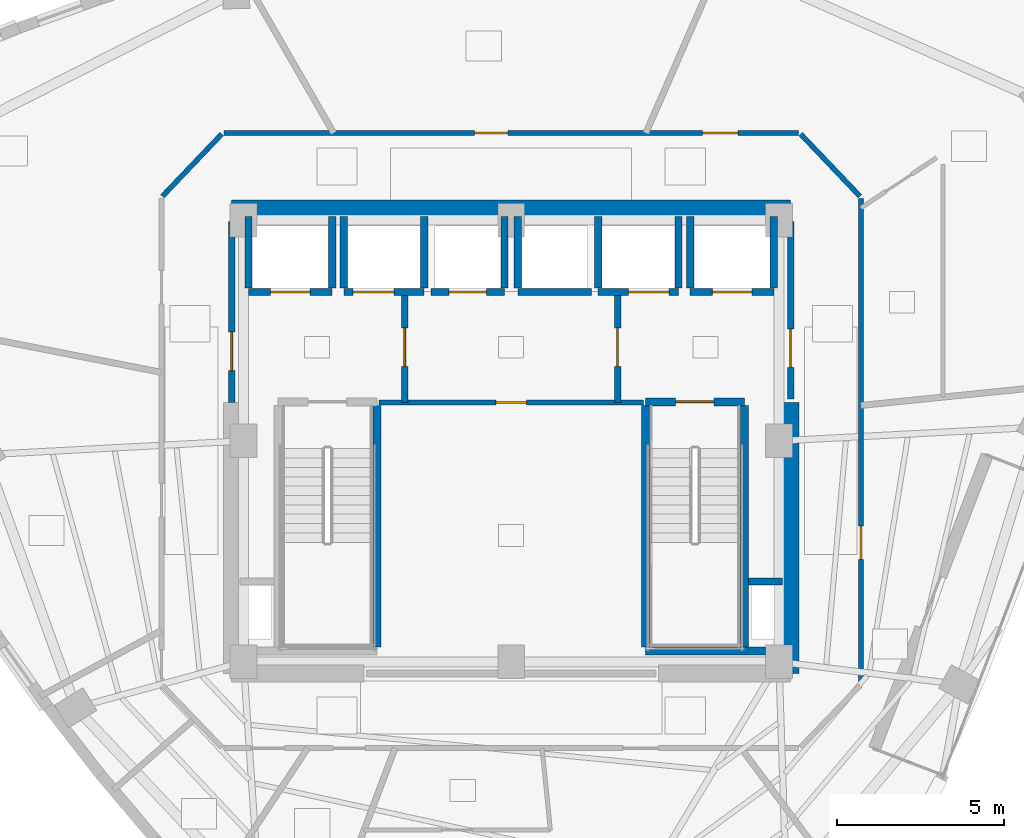
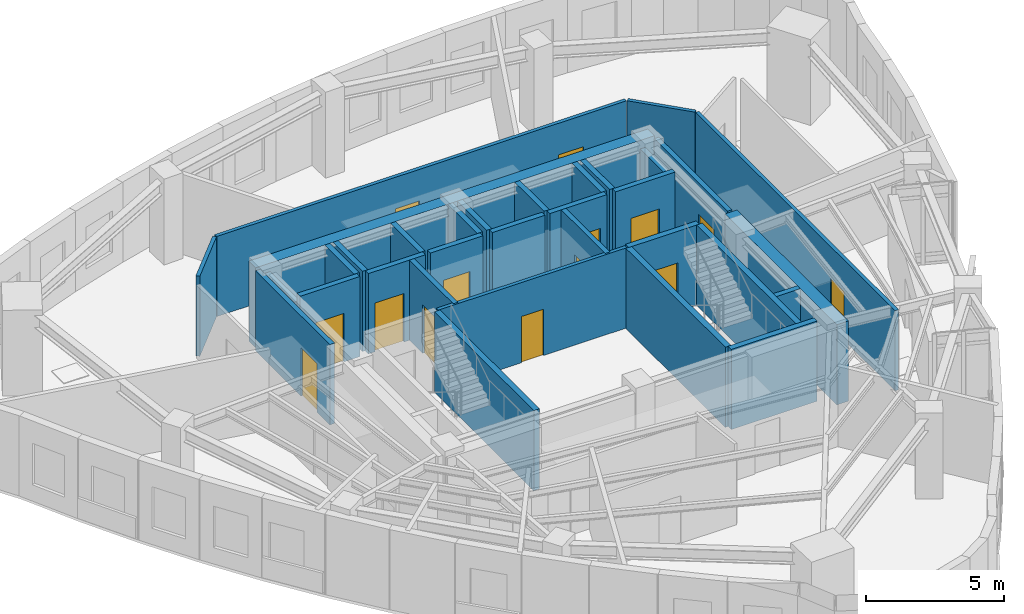
# One storey, part 5 of 10: 33 walls, 14 doors, 14 openings.
"""IFC4 building model written with IfcOpenShell, lengths in metres."""

from ifc_helpers import new_model, si_unit, direction, frame, frame_2d, origin, place, context, subcontext, project, spatial, rectangle, extrude, material, layer, layer_set, type_object, element, fill, save


model = new_model("IFC4")

# Units and contexts
model_context = context("Model", 3, precision=1e-05, world=origin(), true_north=direction((0.0, 1.0)))
body_context = subcontext(model_context, "Body", "Model", "MODEL_VIEW")
ifc_project = project(units=[si_unit("LENGTHUNIT", "METRE"), si_unit("AREAUNIT", "SQUARE_METRE"), si_unit("VOLUMEUNIT", "CUBIC_METRE"), si_unit("PLANEANGLEUNIT", "RADIAN"), si_unit("MASSUNIT", "GRAM", prefix="KILO")], contexts=[model_context])

# Site, building, storey
site_placement = place(None, origin())
site = spatial("IfcSite", under=ifc_project, at=site_placement, CompositionType="ELEMENT")
building_placement = place(site_placement, origin())
building = spatial("IfcBuilding", under=site, at=building_placement, Name="Ndelora Gate Hotel", CompositionType="ELEMENT")
storey_placement = place(building_placement, frame((0.0, 0.0, 239.75)))
storey = spatial("IfcBuildingStorey", under=building, at=storey_placement, Name="L60", CompositionType="ELEMENT", Elevation=239.75)

# Walls
ifc_material_1 = material(Name="Concrete C50/60", Category="concrete")
ifc_layer_1 = layer(ifc_material_1, 0.5)
ifc_layer_set_1 = layer_set([ifc_layer_1], Name="Concrete C50/60")
wall_type_1 = type_object("IfcWallType", Name="WL-CORE-500", PredefinedType="SHEAR", material=ifc_layer_set_1)
wall_1_placement = place(storey_placement, frame((-8.35009765625, 6.949951171875, 0.0), z_axis=(0.0, 0.0, 1.0), x_axis=(1.0, 0.0, 0.0)))
element("IfcWall", 1, at=wall_1_placement, inside=storey, type_object=wall_type_1, Name="L60 Core Shear Wall N", PredefinedType="SHEAR", context=body_context, shape_type="SweptSolid", body=[
    extrude(rectangle(XDim=16.7001953125, YDim=0.5, at=frame_2d((8.35009765625, 0.0))), origin(), (0.0, 0.0, 1.0), 3.550048828125),
])
wall_2_placement = place(storey_placement, frame((8.35009765625, -6.949951171875, 0.0), z_axis=(0.0, 0.0, 1.0), x_axis=(0.0, 1.0, 0.0)))
element("IfcWall", 2, at=wall_2_placement, inside=storey, type_object=wall_type_1, Name="L60 Core Shear Wall E", PredefinedType="SHEAR", context=body_context, shape_type="SweptSolid", body=[
    extrude(rectangle(XDim=8.099853515625, YDim=0.5, at=frame_2d((4.0498046875, 0.0))), origin(), (0.0, 0.0, 1.0), 3.550048828125),
])

# Wall, opening, door
ifc_material_2 = material(Name="Concrete C40/50", Category="concrete")
ifc_layer_2 = layer(ifc_material_2, 0.199951171875)
ifc_layer_set_2 = layer_set([ifc_layer_2], Name="Concrete C40/50")
wall_type_2 = type_object("IfcWallType", Name="WL-FIRE-200", PredefinedType="PARTITIONING", material=ifc_layer_set_2)
wall_3_placement = place(storey_placement, frame((-3.179931640625, 1.14990234375, 0.0), z_axis=(0.0, 0.0, 1.0), x_axis=(0.0, 1.0, 0.0)))
wall_3 = element("IfcWall", 3, at=wall_3_placement, inside=storey, type_object=wall_type_2, Name="L60 Interior Wall IW-2", PredefinedType="PARTITIONING", context=body_context, shape_type="SweptSolid", body=[
    extrude(rectangle(XDim=3.300048828125, YDim=0.199951171875, at=frame_2d((1.64990234375, 0.0))), origin(), (0.0, 0.0, 1.0), 3.550048828125),
])
opening_1_placement = place(wall_3_placement, frame((1.080078125, 0.0, 0.0)))
opening_1 = element("IfcOpeningElement", 4, at=opening_1_placement, cuts=wall_3, Name="Opening FD1", PredefinedType="OPENING", context=body_context, shape_type="SweptSolid", body=[
    extrude(rectangle(XDim=1.14990234375, YDim=2.14990234375, at=frame_2d((0.574951171875, 1.074951171875))), frame((0.0, 0.10986328125, 0.0), z_axis=(0.0, -1.0, 0.0), x_axis=(1.0, 0.0, 0.0)), (0.0, 0.0, 1.0), 0.219970703125),
])
ifc_material_3 = material(Name="Fire-Rated Timber-Veneer Steel Core", Category="steel")
door_type_1 = type_object("IfcDoorType", Name="DR-FD60", OperationType="SINGLE_SWING_LEFT", PredefinedType="DOOR", material=ifc_material_3)
door_1_placement = place(opening_1_placement, origin())
door_1 = element("IfcDoor", 5, at=door_1_placement, inside=storey, type_object=door_type_1, Name="L60 Firefighting Lobby West Door", OperationType="SINGLE_SWING_RIGHT", OverallHeight=2.14990234375, OverallWidth=1.14990234375, PredefinedType="DOOR", context=body_context, shape_type="SweptSolid", body=[
    extrude(rectangle(XDim=1.14990234375, YDim=2.14990234375, at=frame_2d((0.574951171875, 1.074951171875))), frame((0.0, 0.02490234375, 0.0), z_axis=(0.0, -1.0, 0.0), x_axis=(1.0, 0.0, 0.0)), (0.0, 0.0, 1.0), 0.050048828125),
])
fill(opening_1, door_1)

wall_4_placement = place(storey_placement, frame((3.179931640625, 1.14990234375, 0.0), z_axis=(0.0, 0.0, 1.0), x_axis=(0.0, 1.0, 0.0)))
wall_4 = element("IfcWall", 6, at=wall_4_placement, inside=storey, type_object=wall_type_2, Name="L60 Interior Wall IW-2", PredefinedType="PARTITIONING", context=body_context, shape_type="SweptSolid", body=[
    extrude(rectangle(XDim=3.300048828125, YDim=0.199951171875, at=frame_2d((1.64990234375, 0.0))), origin(), (0.0, 0.0, 1.0), 3.550048828125),
])
opening_2_placement = place(wall_4_placement, frame((1.080078125, 0.0, 0.0)))
opening_2 = element("IfcOpeningElement", 7, at=opening_2_placement, cuts=wall_4, Name="Opening FD1", PredefinedType="OPENING", context=body_context, shape_type="SweptSolid", body=[
    extrude(rectangle(XDim=1.14990234375, YDim=2.14990234375, at=frame_2d((0.574951171875, 1.074951171875))), frame((0.0, 0.10986328125, 0.0), z_axis=(0.0, -1.0, 0.0), x_axis=(1.0, 0.0, 0.0)), (0.0, 0.0, 1.0), 0.219970703125),
])
door_2_placement = place(opening_2_placement, origin())
door_2 = element("IfcDoor", 8, at=door_2_placement, inside=storey, type_object=door_type_1, Name="L60 Firefighting Lobby East Door", OperationType="SINGLE_SWING_LEFT", OverallHeight=2.14990234375, OverallWidth=1.14990234375, PredefinedType="DOOR", context=body_context, shape_type="SweptSolid", body=[
    extrude(rectangle(XDim=1.14990234375, YDim=2.14990234375, at=frame_2d((0.574951171875, 1.074951171875))), frame((0.0, 0.02490234375, 0.0), z_axis=(0.0, -1.0, 0.0), x_axis=(1.0, 0.0, 0.0)), (0.0, 0.0, 1.0), 0.050048828125),
])
fill(opening_2, door_2)

wall_5_placement = place(storey_placement, frame((-8.35009765625, 1.14990234375, 0.0), z_axis=(0.0, 0.0, 1.0), x_axis=(0.0, 1.0, 0.0)))
wall_5 = element("IfcWall", 9, at=wall_5_placement, inside=storey, type_object=wall_type_2, Name="L60 Interior Wall IW-2", PredefinedType="PARTITIONING", context=body_context, shape_type="SweptSolid", body=[
    extrude(rectangle(XDim=5.400146484375, YDim=0.199951171875, at=frame_2d((2.7001953125, 0.0))), origin(), (0.0, 0.0, 1.0), 3.550048828125),
])
opening_3_placement = place(wall_5_placement, frame((0.949951171875, 0.0, 0.0)))
opening_3 = element("IfcOpeningElement", 10, at=opening_3_placement, cuts=wall_5, Name="Opening FD1", PredefinedType="OPENING", context=body_context, shape_type="SweptSolid", body=[
    extrude(rectangle(XDim=1.14990234375, YDim=2.14990234375, at=frame_2d((0.574951171875, 1.074951171875))), frame((0.0, 0.10986328125, 0.0), z_axis=(0.0, -1.0, 0.0), x_axis=(1.0, 0.0, 0.0)), (0.0, 0.0, 1.0), 0.219970703125),
])
door_3_placement = place(opening_3_placement, origin())
door_3 = element("IfcDoor", 11, at=door_3_placement, inside=storey, type_object=door_type_1, Name="L60 Firefighting Lobby West Corridor Door", OperationType="SINGLE_SWING_LEFT", OverallHeight=2.14990234375, OverallWidth=1.14990234375, PredefinedType="DOOR", context=body_context, shape_type="SweptSolid", body=[
    extrude(rectangle(XDim=1.14990234375, YDim=2.14990234375, at=frame_2d((0.574951171875, 1.074951171875))), frame((0.0, 0.02490234375, 0.0), z_axis=(0.0, -1.0, 0.0), x_axis=(1.0, 0.0, 0.0)), (0.0, 0.0, 1.0), 0.050048828125),
])
fill(opening_3, door_3)

wall_6_placement = place(storey_placement, frame((8.35009765625, 1.25, 0.0), z_axis=(0.0, 0.0, 1.0), x_axis=(0.0, 1.0, 0.0)))
wall_6 = element("IfcWall", 12, at=wall_6_placement, inside=storey, type_object=wall_type_2, Name="L60 Interior Wall IW-2", PredefinedType="PARTITIONING", context=body_context, shape_type="SweptSolid", body=[
    extrude(rectangle(XDim=5.300048828125, YDim=0.199951171875, at=frame_2d((2.64990234375, 0.0))), origin(), (0.0, 0.0, 1.0), 3.550048828125),
])
opening_4_placement = place(wall_6_placement, frame((0.949951171875, 0.0, 0.0)))
opening_4 = element("IfcOpeningElement", 13, at=opening_4_placement, cuts=wall_6, Name="Opening FD1", PredefinedType="OPENING", context=body_context, shape_type="SweptSolid", body=[
    extrude(rectangle(XDim=1.14990234375, YDim=2.14990234375, at=frame_2d((0.574951171875, 1.074951171875))), frame((0.0, 0.10986328125, 0.0), z_axis=(0.0, -1.0, 0.0), x_axis=(1.0, 0.0, 0.0)), (0.0, 0.0, 1.0), 0.219970703125),
])
door_4_placement = place(opening_4_placement, origin())
door_4 = element("IfcDoor", 14, at=door_4_placement, inside=storey, type_object=door_type_1, Name="L60 Firefighting Lobby East Corridor Door", OperationType="SINGLE_SWING_RIGHT", OverallHeight=2.14990234375, OverallWidth=1.14990234375, PredefinedType="DOOR", context=body_context, shape_type="SweptSolid", body=[
    extrude(rectangle(XDim=1.14990234375, YDim=2.14990234375, at=frame_2d((0.574951171875, 1.074951171875))), frame((0.0, 0.02490234375, 0.0), z_axis=(0.0, -1.0, 0.0), x_axis=(1.0, 0.0, 0.0)), (0.0, 0.0, 1.0), 0.050048828125),
])
fill(opening_4, door_4)

ifc_material_4 = material(Name="Fire-Rated Gypsum Stud Partition", Category="gypsum")
ifc_layer_3 = layer(ifc_material_4, 0.14990234375)
ifc_layer_set_3 = layer_set([ifc_layer_3], Name="Fire-Rated Gypsum Stud Partition")
wall_type_3 = type_object("IfcWallType", Name="WL-PART-150", PredefinedType="PARTITIONING", material=ifc_layer_set_3)
wall_7_placement = place(storey_placement, frame((3.949951171875, 1.14990234375, 0.0), z_axis=(0.0, 0.0, 1.0), x_axis=(-1.0, 0.0, 0.0)))
wall_7 = element("IfcWall", 15, at=wall_7_placement, inside=storey, type_object=wall_type_3, Name="L60 Interior Wall IW-5", PredefinedType="PARTITIONING", context=body_context, shape_type="SweptSolid", body=[
    extrude(rectangle(XDim=7.89990234375, YDim=0.14990234375, at=frame_2d((3.949951171875, 0.0))), origin(), (0.0, 0.0, 1.0), 3.550048828125),
])
opening_5_placement = place(wall_7_placement, frame((3.489990234375, 0.0, 0.0)))
opening_5 = element("IfcOpeningElement", 16, at=opening_5_placement, cuts=wall_7, Name="Opening D04", PredefinedType="OPENING", context=body_context, shape_type="SweptSolid", body=[
    extrude(rectangle(XDim=0.919921875, YDim=2.050048828125, at=frame_2d((0.4599609375, 1.02490234375))), frame((0.0, 0.0849609375, 0.0), z_axis=(0.0, -1.0, 0.0), x_axis=(1.0, 0.0, 0.0)), (0.0, 0.0, 1.0), 0.169921875),
])
ifc_material_5 = material(Name="Painted Steel Core Service Door", Category="steel")
door_type_2 = type_object("IfcDoorType", Name="DR-SER-920", OperationType="SINGLE_SWING_LEFT", PredefinedType="DOOR", material=ifc_material_5)
door_5_placement = place(opening_5_placement, origin())
door_5 = element("IfcDoor", 17, at=door_5_placement, inside=storey, type_object=door_type_2, Name="L60 Core Electrical and Linen Service Store Door", OperationType="SINGLE_SWING_LEFT", OverallHeight=2.050048828125, OverallWidth=0.919921875, PredefinedType="DOOR", context=body_context, shape_type="SweptSolid", body=[
    extrude(rectangle(XDim=0.919921875, YDim=2.050048828125, at=frame_2d((0.4599609375, 1.02490234375))), frame((0.0, 0.02490234375, 0.0), z_axis=(0.0, -1.0, 0.0), x_axis=(1.0, 0.0, 0.0)), (0.0, 0.0, 1.0), 0.050048828125),
])
fill(opening_5, door_5)

wall_8_placement = place(storey_placement, frame((10.449951171875, 7.239990234375, 0.0), z_axis=(0.0, 0.0, 1.0), x_axis=(0.0, -1.0, 0.0)))
wall_8 = element("IfcWall", 18, at=wall_8_placement, inside=storey, type_object=wall_type_3, Name="L60 Interior Wall IW-5", PredefinedType="PARTITIONING", context=body_context, shape_type="SweptSolid", body=[
    extrude(rectangle(XDim=14.47998046875, YDim=0.14990234375, at=frame_2d((7.239990234375, 0.0))), origin(), (0.0, 0.0, 1.0), 3.550048828125),
])
opening_6_placement = place(wall_8_placement, frame((9.779296875, 0.0, 0.0)))
opening_6 = element("IfcOpeningElement", 19, at=opening_6_placement, cuts=wall_8, Name="Opening D01", PredefinedType="OPENING", context=body_context, shape_type="SweptSolid", body=[
    extrude(rectangle(XDim=1.0, YDim=2.14990234375, at=frame_2d((0.5, 1.074951171875))), frame((0.0, 0.0849609375, 0.0), z_axis=(0.0, -1.0, 0.0), x_axis=(1.0, 0.0, 0.0)), (0.0, 0.0, 1.0), 0.169921875),
])
ifc_material_6 = material(Name="Acoustic Hardwood Guest Entrance Door", Category="wood")
door_type_3 = type_object("IfcDoorType", Name="DR-COR-1000", OperationType="SINGLE_SWING_LEFT", PredefinedType="DOOR", material=ifc_material_6)
door_6_placement = place(opening_6_placement, origin())
door_6 = element("IfcDoor", 20, at=door_6_placement, inside=storey, type_object=door_type_3, Name="L60 Sky Garden Tea Dining Room Entrance Door", OperationType="SINGLE_SWING_LEFT", OverallHeight=2.14990234375, OverallWidth=1.0, PredefinedType="DOOR", context=body_context, shape_type="SweptSolid", body=[
    extrude(rectangle(XDim=1.0, YDim=2.14990234375, at=frame_2d((0.5, 1.074951171875))), frame((0.0, 0.02490234375, 0.0), z_axis=(0.0, -1.0, 0.0), x_axis=(1.0, 0.0, 0.0)), (0.0, 0.0, 1.0), 0.050048828125),
])
fill(opening_6, door_6)

# Wall
wall_9_placement = place(storey_placement, frame((8.647705078125, 9.1708984375, 0.0), z_axis=(0.0, 0.0, 1.0), x_axis=(0.689960858356, -0.723846678473, 0.0)))
element("IfcWall", 21, at=wall_9_placement, inside=storey, type_object=wall_type_3, Name="L60 Interior Wall IW-5", PredefinedType="PARTITIONING", context=body_context, shape_type="SweptSolid", body=[
    extrude(rectangle(XDim=2.572021484375, YDim=0.14990234375, at=frame_2d((1.2861328125, 0.0))), origin(), (0.0, 0.0, 1.0), 3.550048828125),
])

# Wall, openings, doors
wall_10_placement = place(storey_placement, frame((-8.580078125, 9.199951171875, 0.0), z_axis=(0.0, 0.0, 1.0), x_axis=(1.0, 0.0, 0.0)))
wall_10 = element("IfcWall", 22, at=wall_10_placement, inside=storey, type_object=wall_type_3, Name="L60 Interior Wall IW-5", PredefinedType="PARTITIONING", context=body_context, shape_type="SweptSolid", body=[
    extrude(rectangle(XDim=17.16015625, YDim=0.14990234375, at=frame_2d((8.580078125, 0.0))), origin(), (0.0, 0.0, 1.0), 3.550048828125),
])
opening_7_placement = place(wall_10_placement, frame((7.48388671875, 0.0, 0.0)))
opening_7 = element("IfcOpeningElement", 23, at=opening_7_placement, cuts=wall_10, Name="Opening D01", PredefinedType="OPENING", context=body_context, shape_type="SweptSolid", body=[
    extrude(rectangle(XDim=1.0, YDim=2.14990234375, at=frame_2d((0.5, 1.074951171875))), frame((0.0, 0.0849609375, 0.0), z_axis=(0.0, -1.0, 0.0), x_axis=(1.0, 0.0, 0.0)), (0.0, 0.0, 1.0), 0.169921875),
])
opening_8_placement = place(wall_10_placement, frame((14.3017578125, 0.0, 0.0)))
opening_8 = element("IfcOpeningElement", 24, at=opening_8_placement, cuts=wall_10, Name="Opening D07", PredefinedType="OPENING", context=body_context, shape_type="SweptSolid", body=[
    extrude(rectangle(XDim=1.06005859375, YDim=2.14990234375, at=frame_2d((0.530029296875, 1.074951171875))), frame((0.0, 0.0849609375, 0.0), z_axis=(0.0, -1.0, 0.0), x_axis=(1.0, 0.0, 0.0)), (0.0, 0.0, 1.0), 0.169921875),
])
door_7_placement = place(opening_7_placement, origin())
door_7 = element("IfcDoor", 25, at=door_7_placement, inside=storey, type_object=door_type_3, Name="L60 Private Collectors Art Library Entrance Door", OperationType="SINGLE_SWING_LEFT", OverallHeight=2.14990234375, OverallWidth=1.0, PredefinedType="DOOR", context=body_context, shape_type="SweptSolid", body=[
    extrude(rectangle(XDim=1.0, YDim=2.14990234375, at=frame_2d((0.5, 1.074951171875))), frame((0.0, 0.02490234375, 0.0), z_axis=(0.0, -1.0, 0.0), x_axis=(1.0, 0.0, 0.0)), (0.0, 0.0, 1.0), 0.050048828125),
])
fill(opening_7, door_7)
ifc_material_7 = material(Name="Diplomatic Suite Acoustic Entrance Door", Category="wood")
door_type_4 = type_object("IfcDoorType", Name="DR-SUITE-1060", OperationType="SINGLE_SWING_LEFT", PredefinedType="DOOR", material=ifc_material_7)
door_8_placement = place(opening_8_placement, origin())
door_8 = element("IfcDoor", 26, at=door_8_placement, inside=storey, type_object=door_type_4, Name="L60 Corner Diplomatic Two-Bay Suite 6302 Entrance Door", OperationType="SINGLE_SWING_LEFT", OverallHeight=2.14990234375, OverallWidth=1.06005859375, PredefinedType="DOOR", context=body_context, shape_type="SweptSolid", body=[
    extrude(rectangle(XDim=1.06005859375, YDim=2.14990234375, at=frame_2d((0.530029296875, 1.074951171875))), frame((0.0, 0.02490234375, 0.0), z_axis=(0.0, -1.0, 0.0), x_axis=(1.0, 0.0, 0.0)), (0.0, 0.0, 1.0), 0.050048828125),
])
fill(opening_8, door_8)

# Walls
wall_11_placement = place(storey_placement, frame((-10.42236328125, 7.30908203125, 0.0), z_axis=(0.0, 0.0, 1.0), x_axis=(0.689960858356, 0.723846678473, 0.0)))
element("IfcWall", 27, at=wall_11_placement, inside=storey, type_object=wall_type_3, Name="L60 Interior Wall IW-5", PredefinedType="PARTITIONING", context=body_context, shape_type="SweptSolid", body=[
    extrude(rectangle(XDim=2.572021484375, YDim=0.14990234375, at=frame_2d((1.2861328125, 0.0))), origin(), (0.0, 0.0, 1.0), 3.550048828125),
])
ifc_layer_4 = layer(ifc_material_2, 0.219970703125)
ifc_layer_set_4 = layer_set([ifc_layer_4], Name="Concrete C40/50")
wall_type_4 = type_object("IfcWallType", Name="WL-SHAFT-220", PredefinedType="PARTITIONING", material=ifc_layer_set_4)
wall_12_placement = place(storey_placement, frame((7.090087890625, -4.199951171875, 0.0), z_axis=(0.0, 0.0, 1.0), x_axis=(1.0, 0.0, 0.0)))
element("IfcWall", 28, at=wall_12_placement, inside=storey, type_object=wall_type_4, Name="L60 Interior Wall IW-1", PredefinedType="PARTITIONING", context=body_context, shape_type="SweptSolid", body=[
    extrude(rectangle(XDim=1.010009765625, YDim=0.219970703125, at=frame_2d((0.5048828125, 0.0))), origin(), (0.0, 0.0, 1.0), 3.550048828125),
])

# Wall, opening, door
wall_13_placement = place(storey_placement, frame((-7.85009765625, 4.449951171875, 0.0), z_axis=(0.0, 0.0, 1.0), x_axis=(1.0, 0.0, 0.0)))
wall_13 = element("IfcWall", 29, at=wall_13_placement, inside=storey, type_object=wall_type_4, Name="L60 Interior Wall IW-1", PredefinedType="PARTITIONING", context=body_context, shape_type="SweptSolid", body=[
    extrude(rectangle(XDim=2.5, YDim=0.219970703125, at=frame_2d((1.25, 0.0))), origin(), (0.0, 0.0, 1.0), 3.550048828125),
])
opening_9_placement = place(wall_13_placement, frame((0.659912109375, 0.0, 0.0)))
opening_9 = element("IfcOpeningElement", 30, at=opening_9_placement, cuts=wall_13, Name="Opening LD5", PredefinedType="OPENING", context=body_context, shape_type="SweptSolid", body=[
    extrude(rectangle(XDim=1.179931640625, YDim=2.14990234375, at=frame_2d((0.58984375, 1.074951171875))), frame((0.0, 0.1201171875, 0.0), z_axis=(0.0, -1.0, 0.0), x_axis=(1.0, 0.0, 0.0)), (0.0, 0.0, 1.0), 0.239990234375),
])
ifc_material_8 = material(Name="Firefighting Lift Stainless Sliding Landing Door", Category="metal")
door_type_5 = type_object("IfcDoorType", Name="DR-LD5", OperationType="DOUBLE_DOOR_SLIDING", PredefinedType="DOOR", material=ifc_material_8)
door_9_placement = place(opening_9_placement, origin())
door_9 = element("IfcDoor", 31, at=door_9_placement, inside=storey, type_object=door_type_5, Name="L60 Lift Landing Sliding Door FFL1", OperationType="DOUBLE_DOOR_SLIDING", OverallHeight=2.14990234375, OverallWidth=1.179931640625, PredefinedType="DOOR", context=body_context, shape_type="SweptSolid", body=[
    extrude(rectangle(XDim=1.179931640625, YDim=2.14990234375, at=frame_2d((0.58984375, 1.074951171875))), frame((0.0, 0.02490234375, 0.0), z_axis=(0.0, -1.0, 0.0), x_axis=(1.0, 0.0, 0.0)), (0.0, 0.0, 1.0), 0.050048828125),
])
fill(opening_9, door_9)

# Walls
wall_14_placement = place(storey_placement, frame((-7.85009765625, 4.570068359375, 0.0), z_axis=(0.0, 0.0, 1.0), x_axis=(0.0, 1.0, 0.0)))
element("IfcWall", 32, at=wall_14_placement, inside=storey, type_object=wall_type_4, Name="L60 Interior Wall IW-1", PredefinedType="PARTITIONING", context=body_context, shape_type="SweptSolid", body=[
    extrude(rectangle(XDim=2.1298828125, YDim=0.219970703125, at=frame_2d((1.06494140625, 0.0))), origin(), (0.0, 0.0, 1.0), 3.179931640625),
])
wall_15_placement = place(storey_placement, frame((-5.35009765625, 4.570068359375, 0.0), z_axis=(0.0, 0.0, 1.0), x_axis=(0.0, 1.0, 0.0)))
element("IfcWall", 33, at=wall_15_placement, inside=storey, type_object=wall_type_4, Name="L60 Interior Wall IW-1", PredefinedType="PARTITIONING", context=body_context, shape_type="SweptSolid", body=[
    extrude(rectangle(XDim=2.1298828125, YDim=0.219970703125, at=frame_2d((1.06494140625, 0.0))), origin(), (0.0, 0.0, 1.0), 3.550048828125),
])

# Wall, opening, door
wall_16_placement = place(storey_placement, frame((5.35009765625, 4.449951171875, 0.0), z_axis=(0.0, 0.0, 1.0), x_axis=(1.0, 0.0, 0.0)))
wall_16 = element("IfcWall", 34, at=wall_16_placement, inside=storey, type_object=wall_type_4, Name="L60 Interior Wall IW-1", PredefinedType="PARTITIONING", context=body_context, shape_type="SweptSolid", body=[
    extrude(rectangle(XDim=2.5, YDim=0.219970703125, at=frame_2d((1.25, 0.0))), origin(), (0.0, 0.0, 1.0), 3.550048828125),
])
opening_10_placement = place(wall_16_placement, frame((0.659912109375, 0.0, 0.0)))
opening_10 = element("IfcOpeningElement", 35, at=opening_10_placement, cuts=wall_16, Name="Opening LD5", PredefinedType="OPENING", context=body_context, shape_type="SweptSolid", body=[
    extrude(rectangle(XDim=1.179931640625, YDim=2.14990234375, at=frame_2d((0.58984375, 1.074951171875))), frame((0.0, 0.1201171875, 0.0), z_axis=(0.0, -1.0, 0.0), x_axis=(1.0, 0.0, 0.0)), (0.0, 0.0, 1.0), 0.239990234375),
])
door_10_placement = place(opening_10_placement, origin())
door_10 = element("IfcDoor", 36, at=door_10_placement, inside=storey, type_object=door_type_5, Name="L60 Lift Landing Sliding Door FFL2", OperationType="DOUBLE_DOOR_SLIDING", OverallHeight=2.14990234375, OverallWidth=1.179931640625, PredefinedType="DOOR", context=body_context, shape_type="SweptSolid", body=[
    extrude(rectangle(XDim=1.179931640625, YDim=2.14990234375, at=frame_2d((0.58984375, 1.074951171875))), frame((0.0, 0.02490234375, 0.0), z_axis=(0.0, -1.0, 0.0), x_axis=(1.0, 0.0, 0.0)), (0.0, 0.0, 1.0), 0.050048828125),
])
fill(opening_10, door_10)

# Walls
wall_17_placement = place(storey_placement, frame((5.35009765625, 4.570068359375, 0.0), z_axis=(0.0, 0.0, 1.0), x_axis=(0.0, 1.0, 0.0)))
element("IfcWall", 37, at=wall_17_placement, inside=storey, type_object=wall_type_4, Name="L60 Interior Wall IW-1", PredefinedType="PARTITIONING", context=body_context, shape_type="SweptSolid", body=[
    extrude(rectangle(XDim=2.1298828125, YDim=0.219970703125, at=frame_2d((1.06494140625, 0.0))), origin(), (0.0, 0.0, 1.0), 3.550048828125),
])
wall_18_placement = place(storey_placement, frame((7.85009765625, 4.570068359375, 0.0), z_axis=(0.0, 0.0, 1.0), x_axis=(0.0, 1.0, 0.0)))
element("IfcWall", 38, at=wall_18_placement, inside=storey, type_object=wall_type_4, Name="L60 Interior Wall IW-1", PredefinedType="PARTITIONING", context=body_context, shape_type="SweptSolid", body=[
    extrude(rectangle(XDim=2.1298828125, YDim=0.219970703125, at=frame_2d((1.06494140625, 0.0))), origin(), (0.0, 0.0, 1.0), 3.179931640625),
])

# Wall, opening, door
wall_19_placement = place(storey_placement, frame((-5.0, 4.449951171875, 0.0), z_axis=(0.0, 0.0, 1.0), x_axis=(1.0, 0.0, 0.0)))
wall_19 = element("IfcWall", 39, at=wall_19_placement, inside=storey, type_object=wall_type_4, Name="L60 Interior Wall IW-1", PredefinedType="PARTITIONING", context=body_context, shape_type="SweptSolid", body=[
    extrude(rectangle(XDim=2.39990234375, YDim=0.219970703125, at=frame_2d((1.199951171875, 0.0))), origin(), (0.0, 0.0, 1.0), 3.550048828125),
])
opening_11_placement = place(wall_19_placement, frame((0.280029296875, 0.0, 0.0)))
opening_11 = element("IfcOpeningElement", 40, at=opening_11_placement, cuts=wall_19, Name="Opening LD6", PredefinedType="OPENING", context=body_context, shape_type="SweptSolid", body=[
    extrude(rectangle(XDim=1.219970703125, YDim=2.14990234375, at=frame_2d((0.60986328125, 1.074951171875))), frame((0.0, 0.1201171875, 0.0), z_axis=(0.0, -1.0, 0.0), x_axis=(1.0, 0.0, 0.0)), (0.0, 0.0, 1.0), 0.239990234375),
])
ifc_material_9 = material(Name="Heavy-Duty Service Lift Sliding Landing Door", Category="wood")
door_type_6 = type_object("IfcDoorType", Name="DR-LD6", OperationType="DOUBLE_DOOR_SLIDING", PredefinedType="DOOR", material=ifc_material_9)
door_11_placement = place(opening_11_placement, origin())
door_11 = element("IfcDoor", 41, at=door_11_placement, inside=storey, type_object=door_type_6, Name="L60 Lift Landing Sliding Door SVL1", OperationType="DOUBLE_DOOR_SLIDING", OverallHeight=2.14990234375, OverallWidth=1.219970703125, PredefinedType="DOOR", context=body_context, shape_type="SweptSolid", body=[
    extrude(rectangle(XDim=1.219970703125, YDim=2.14990234375, at=frame_2d((0.60986328125, 1.074951171875))), frame((0.0, 0.02490234375, 0.0), z_axis=(0.0, -1.0, 0.0), x_axis=(1.0, 0.0, 0.0)), (0.0, 0.0, 1.0), 0.050048828125),
])
fill(opening_11, door_11)

# Walls
for number, where, z_axis, x_axis, name in (
    (42, (-5.0, 4.570068359375, 0.0), (0.0, 0.0, 1.0), (0.0, 1.0, 0.0), "L60 Interior Wall IW-1"),
    (43, (-2.60009765625, 4.570068359375, 0.0), (0.0, 0.0, 1.0), (0.0, 1.0, 0.0), "L60 Interior Wall IW-1"),
):
    element("IfcWall", number, at=place(storey_placement, frame(where, z_axis=z_axis, x_axis=x_axis)), inside=storey, type_object=wall_type_4, Name=name, PredefinedType="PARTITIONING", context=body_context, shape_type="SweptSolid", body=[
        extrude(rectangle(XDim=2.1298828125, YDim=0.219970703125, at=frame_2d((1.06494140625, 0.0))), origin(), (0.0, 0.0, 1.0), 3.550048828125),
    ])

# Wall, opening, door
wall_20_placement = place(storey_placement, frame((2.60009765625, 4.449951171875, 0.0), z_axis=(0.0, 0.0, 1.0), x_axis=(1.0, 0.0, 0.0)))
wall_20 = element("IfcWall", 44, at=wall_20_placement, inside=storey, type_object=wall_type_4, Name="L60 Interior Wall IW-1", PredefinedType="PARTITIONING", context=body_context, shape_type="SweptSolid", body=[
    extrude(rectangle(XDim=2.39990234375, YDim=0.219970703125, at=frame_2d((1.199951171875, 0.0))), origin(), (0.0, 0.0, 1.0), 3.550048828125),
])
opening_12_placement = place(wall_20_placement, frame((0.89990234375, 0.0, 0.0)))
opening_12 = element("IfcOpeningElement", 45, at=opening_12_placement, cuts=wall_20, Name="Opening LD6", PredefinedType="OPENING", context=body_context, shape_type="SweptSolid", body=[
    extrude(rectangle(XDim=1.219970703125, YDim=2.14990234375, at=frame_2d((0.60986328125, 1.074951171875))), frame((0.0, 0.1201171875, 0.0), z_axis=(0.0, -1.0, 0.0), x_axis=(1.0, 0.0, 0.0)), (0.0, 0.0, 1.0), 0.239990234375),
])
door_12_placement = place(opening_12_placement, origin())
door_12 = element("IfcDoor", 46, at=door_12_placement, inside=storey, type_object=door_type_6, Name="L60 Lift Landing Sliding Door SVL2", OperationType="DOUBLE_DOOR_SLIDING", OverallHeight=2.14990234375, OverallWidth=1.219970703125, PredefinedType="DOOR", context=body_context, shape_type="SweptSolid", body=[
    extrude(rectangle(XDim=1.219970703125, YDim=2.14990234375, at=frame_2d((0.60986328125, 1.074951171875))), frame((0.0, 0.02490234375, 0.0), z_axis=(0.0, -1.0, 0.0), x_axis=(1.0, 0.0, 0.0)), (0.0, 0.0, 1.0), 0.050048828125),
])
fill(opening_12, door_12)

# Walls
for number, where, z_axis, x_axis, name in (
    (47, (2.60009765625, 4.570068359375, 0.0), (0.0, 0.0, 1.0), (0.0, 1.0, 0.0), "L60 Interior Wall IW-1"),
    (48, (5.0, 4.570068359375, 0.0), (0.0, 0.0, 1.0), (0.0, 1.0, 0.0), "L60 Interior Wall IW-1"),
):
    element("IfcWall", number, at=place(storey_placement, frame(where, z_axis=z_axis, x_axis=x_axis)), inside=storey, type_object=wall_type_4, Name=name, PredefinedType="PARTITIONING", context=body_context, shape_type="SweptSolid", body=[
        extrude(rectangle(XDim=2.1298828125, YDim=0.219970703125, at=frame_2d((1.06494140625, 0.0))), origin(), (0.0, 0.0, 1.0), 3.550048828125),
    ])

# Wall, opening, door
wall_21_placement = place(storey_placement, frame((-2.39990234375, 4.449951171875, 0.0), z_axis=(0.0, 0.0, 1.0), x_axis=(1.0, 0.0, 0.0)))
wall_21 = element("IfcWall", 49, at=wall_21_placement, inside=storey, type_object=wall_type_4, Name="L60 Interior Wall IW-1", PredefinedType="PARTITIONING", context=body_context, shape_type="SweptSolid", body=[
    extrude(rectangle(XDim=2.199951171875, YDim=0.219970703125, at=frame_2d((1.10009765625, 0.0))), origin(), (0.0, 0.0, 1.0), 3.550048828125),
])
opening_13_placement = place(wall_21_placement, frame((0.5400390625, 0.0, 0.0)))
opening_13 = element("IfcOpeningElement", 50, at=opening_13_placement, cuts=wall_21, Name="Opening LD3", PredefinedType="OPENING", context=body_context, shape_type="SweptSolid", body=[
    extrude(rectangle(XDim=1.1201171875, YDim=2.14990234375, at=frame_2d((0.56005859375, 1.074951171875))), frame((0.0, 0.1201171875, 0.0), z_axis=(0.0, -1.0, 0.0), x_axis=(1.0, 0.0, 0.0)), (0.0, 0.0, 1.0), 0.239990234375),
])
ifc_material_10 = material(Name="Brushed Bronze Stainless Lift Landing Door", Category="metal")
door_type_7 = type_object("IfcDoorType", Name="DR-LD3", OperationType="DOUBLE_DOOR_SLIDING", PredefinedType="DOOR", material=ifc_material_10)
door_13_placement = place(opening_13_placement, origin())
door_13 = element("IfcDoor", 51, at=door_13_placement, inside=storey, type_object=door_type_7, Name="L60 Lift Landing Sliding Door P3A", OperationType="DOUBLE_DOOR_SLIDING", OverallHeight=2.14990234375, OverallWidth=1.1201171875, PredefinedType="DOOR", context=body_context, shape_type="SweptSolid", body=[
    extrude(rectangle(XDim=1.1201171875, YDim=2.14990234375, at=frame_2d((0.56005859375, 1.074951171875))), frame((0.0, 0.02490234375, 0.0), z_axis=(0.0, -1.0, 0.0), x_axis=(1.0, 0.0, 0.0)), (0.0, 0.0, 1.0), 0.050048828125),
])
fill(opening_13, door_13)

# Walls
wall_22_placement = place(storey_placement, frame((-0.199951171875, 4.570068359375, 0.0), z_axis=(0.0, 0.0, 1.0), x_axis=(0.0, 1.0, 0.0)))
element("IfcWall", 52, at=wall_22_placement, inside=storey, type_object=wall_type_4, Name="L60 Interior Wall IW-1", PredefinedType="PARTITIONING", context=body_context, shape_type="SweptSolid", body=[
    extrude(rectangle(XDim=2.1298828125, YDim=0.219970703125, at=frame_2d((1.06494140625, 0.0))), origin(), (0.0, 0.0, 1.0), 3.550048828125),
])
wall_23_placement = place(storey_placement, frame((0.199951171875, 4.449951171875, 0.0), z_axis=(0.0, 0.0, 1.0), x_axis=(1.0, 0.0, 0.0)))
element("IfcWall", 53, at=wall_23_placement, inside=storey, type_object=wall_type_4, Name="L60 Interior Wall IW-1", PredefinedType="PARTITIONING", context=body_context, shape_type="SweptSolid", body=[
    extrude(rectangle(XDim=2.199951171875, YDim=0.219970703125, at=frame_2d((1.10009765625, 0.0))), origin(), (0.0, 0.0, 1.0), 3.550048828125),
])
wall_24_placement = place(storey_placement, frame((0.199951171875, 4.570068359375, 0.0), z_axis=(0.0, 0.0, 1.0), x_axis=(0.0, 1.0, 0.0)))
element("IfcWall", 54, at=wall_24_placement, inside=storey, type_object=wall_type_4, Name="L60 Interior Wall IW-1", PredefinedType="PARTITIONING", context=body_context, shape_type="SweptSolid", body=[
    extrude(rectangle(XDim=2.1298828125, YDim=0.219970703125, at=frame_2d((1.06494140625, 0.0))), origin(), (0.0, 0.0, 1.0), 3.550048828125),
])
ifc_layer_5 = layer(ifc_material_1, 0.239990234375)
ifc_layer_set_5 = layer_set([ifc_layer_5], Name="Concrete C50/60")
wall_type_5 = type_object("IfcWallType", Name="WL-STAIR-240", PredefinedType="SHEAR", material=ifc_layer_set_5)
for number, where, z_axis, x_axis, name in (
    (55, (-4.010009765625, -6.159912109375, 0.0), (0.0, 0.0, 1.0), (0.0, 1.0, 0.0), "L60 Stair Core Shear Wall SW-ST"),
    (56, (4.010009765625, -6.159912109375, 0.0), (0.0, 0.0, 1.0), (0.0, 1.0, 0.0), "L60 Stair Core Shear Wall SW-ST"),
    (57, (6.969970703125, -6.159912109375, 0.0), (0.0, 0.0, 1.0), (0.0, 1.0, 0.0), "L60 Stair Core Shear Wall SW-ST"),
):
    element("IfcWall", number, at=place(storey_placement, frame(where, z_axis=z_axis, x_axis=x_axis)), inside=storey, type_object=wall_type_5, Name=name, PredefinedType="SHEAR", context=body_context, shape_type="SweptSolid", body=[
        extrude(rectangle(XDim=7.219970703125, YDim=0.239990234375, at=frame_2d((3.60986328125, 0.0))), origin(), (0.0, 0.0, 1.0), 3.550048828125),
    ])
wall_25_placement = place(storey_placement, frame((4.010009765625, -6.27001953125, 0.0), z_axis=(0.0, 0.0, 1.0), x_axis=(1.0, 0.0, 0.0)))
element("IfcWall", 58, at=wall_25_placement, inside=storey, type_object=wall_type_5, Name="L60 Stair Core Shear Wall SW-ST", PredefinedType="SHEAR", context=body_context, shape_type="SweptSolid", body=[
    extrude(rectangle(XDim=3.590087890625, YDim=0.239990234375, at=frame_2d((1.794921875, 0.0))), origin(), (0.0, 0.0, 1.0), 3.550048828125),
])

# Wall, opening, door
wall_26_placement = place(storey_placement, frame((4.010009765625, 1.169921875, 0.0), z_axis=(0.0, 0.0, 1.0), x_axis=(1.0, 0.0, 0.0)))
wall_26 = element("IfcWall", 59, at=wall_26_placement, inside=storey, type_object=wall_type_5, Name="L60 Stair Core Shear Wall SW-ST", PredefinedType="SHEAR", context=body_context, shape_type="SweptSolid", body=[
    extrude(rectangle(XDim=2.9599609375, YDim=0.239990234375, at=frame_2d((1.47998046875, 0.0))), origin(), (0.0, 0.0, 1.0), 3.550048828125),
])
opening_14_placement = place(wall_26_placement, frame((0.89990234375, 0.0, 0.0)))
opening_14 = element("IfcOpeningElement", 60, at=opening_14_placement, cuts=wall_26, Name="Opening FD1", PredefinedType="OPENING", context=body_context, shape_type="SweptSolid", body=[
    extrude(rectangle(XDim=1.14990234375, YDim=2.14990234375, at=frame_2d((0.574951171875, 1.074951171875))), frame((0.0, 0.1298828125, 0.0), z_axis=(0.0, -1.0, 0.0), x_axis=(1.0, 0.0, 0.0)), (0.0, 0.0, 1.0), 0.260009765625),
])
door_14_placement = place(opening_14_placement, origin())
door_14 = element("IfcDoor", 61, at=door_14_placement, inside=storey, type_object=door_type_1, Name="L60 Exit Stair ST5 Door", OperationType="SINGLE_SWING_RIGHT", OverallHeight=2.14990234375, OverallWidth=1.14990234375, PredefinedType="DOOR", context=body_context, shape_type="SweptSolid", body=[
    extrude(rectangle(XDim=1.14990234375, YDim=2.14990234375, at=frame_2d((0.574951171875, 1.074951171875))), frame((0.0, 0.02490234375, 0.0), z_axis=(0.0, -1.0, 0.0), x_axis=(1.0, 0.0, 0.0)), (0.0, 0.0, 1.0), 0.050048828125),
])
fill(opening_14, door_14)

save(model, "model.ifc")
